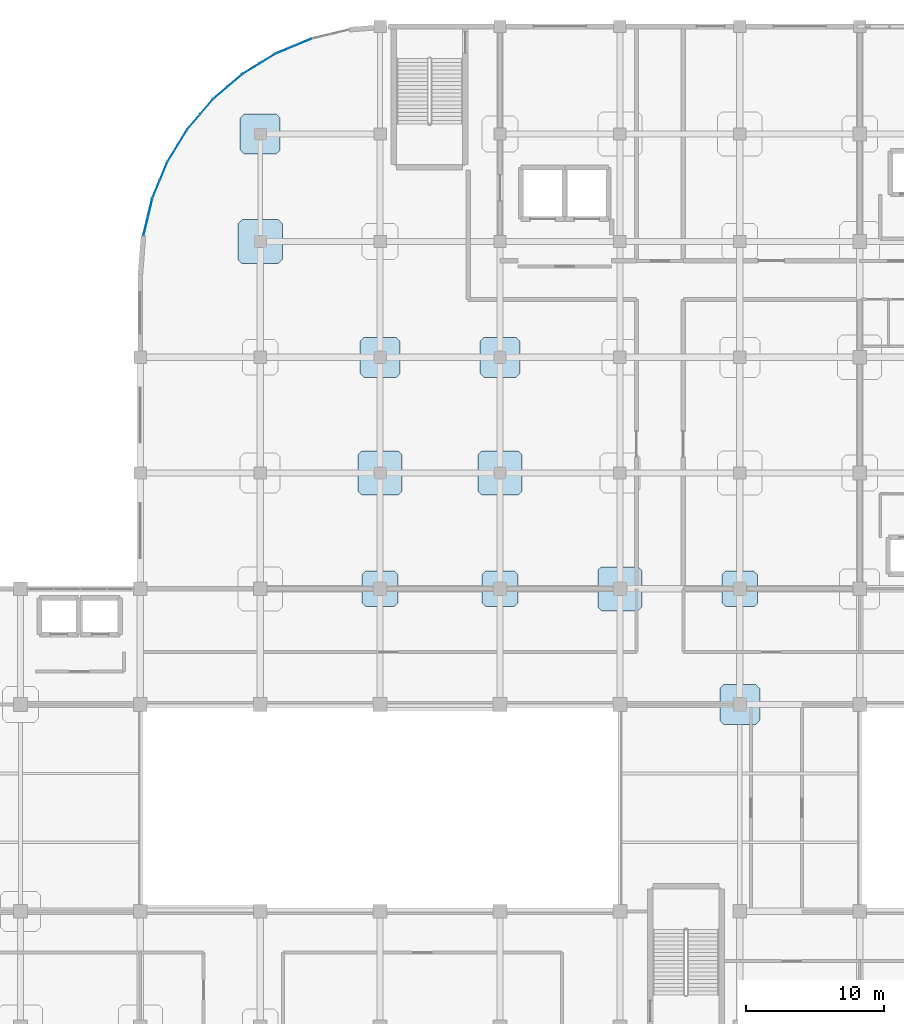
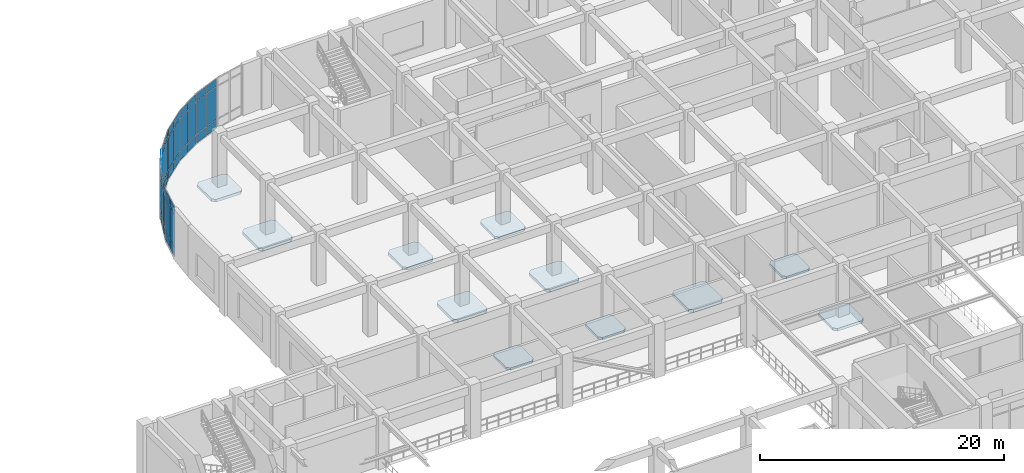
# One storey, part 85 of 114: 42 plates, 11 slabs, 7 elements without a shape of their own.
"""IFC4 building model written with IfcOpenShell, lengths in metres."""

from ifc_helpers import new_model, si_unit, derived_unit, direction, frame, origin, origin_2d, place, context, subcontext, project, spatial, polyline, rectangle, outline, extrude, material, layer, layer_set, type_object, element, aggregate, save


model = new_model("IFC4")

# Units and contexts
model_context = context("Model", 3, precision=1e-05, world=origin(), true_north=direction((0.0, 1.0)))
body_context = subcontext(model_context, "Body", "Model", "MODEL_VIEW")
ifc_project = project(units=[si_unit("LENGTHUNIT", "METRE"), si_unit("AREAUNIT", "SQUARE_METRE"), si_unit("VOLUMEUNIT", "CUBIC_METRE"), si_unit("PLANEANGLEUNIT", "RADIAN"), si_unit("MASSUNIT", "GRAM", prefix="KILO"), derived_unit("THERMALTRANSMITTANCEUNIT", [(si_unit("MASSUNIT", "GRAM", prefix="KILO"), 1), (si_unit("TIMEUNIT", "SECOND"), -3), (si_unit("THERMODYNAMICTEMPERATUREUNIT", "KELVIN"), -1)])], contexts=[model_context])

# Site, building, storey
site_placement = place(None, origin())
site = spatial("IfcSite", under=ifc_project, at=site_placement, CompositionType="ELEMENT")
building_placement = place(site_placement, origin())
building = spatial("IfcBuilding", under=site, at=building_placement, Name="Qinzheling Arcade Emporium", CompositionType="ELEMENT")
storey_placement = place(building_placement, frame((0.0, 0.0, 6.0)))
storey = spatial("IfcBuildingStorey", under=building, at=storey_placement, Name="L02", CompositionType="ELEMENT", Elevation=6.0)

# Slabs
ifc_material_1 = material(Name="Concrete C40", Category="concrete")
ifc_layer_1 = layer(ifc_material_1, 0.235107421875, Name="Concrete C40", Category="concrete")
ifc_layer_set_1 = layer_set([ifc_layer_1], Name="Concrete C40")
slab_type_1 = type_object("IfcSlabType", Name="Column Head Drop Panel 2600x2600x235 C40", PredefinedType="USERDEFINED", material=ifc_layer_set_1)
slab_1_placement = place(storey_placement, frame((0.0, 0.0, -0.544921875)))
element("IfcSlab", 1, at=slab_1_placement, inside=storey, type_object=slab_type_1, Name="Column Drop Panel DP-L02-10-J", ObjectType="DROP_PANEL", PredefinedType="USERDEFINED", context=body_context, shape_type="SweptSolid", body=[
    extrude(outline(polyline([(77.280029296875, 72.5), (79.320068359375, 72.5), (79.60009765625, 72.780029296875), (79.60009765625, 74.820068359375), (79.320068359375, 75.10009765625), (77.280029296875, 75.10009765625), (77.0, 74.820068359375), (77.0, 72.780029296875), (77.280029296875, 72.5)])), origin(), (0.0, 0.0, 1.0), 0.23486328125),
])
slab_2_placement = place(storey_placement, frame((0.0, 0.0, -0.544921875)))
element("IfcSlab", 2, at=slab_2_placement, inside=storey, type_object=slab_type_1, Name="Column Drop Panel DP-L02-12-J", ObjectType="DROP_PANEL", PredefinedType="USERDEFINED", context=body_context, shape_type="SweptSolid", body=[
    extrude(outline(polyline([(94.679931640625, 72.5), (96.719970703125, 72.5), (97.0, 72.780029296875), (97.0, 74.820068359375), (96.719970703125, 75.10009765625), (94.679931640625, 75.10009765625), (94.39990234375, 74.820068359375), (94.39990234375, 72.780029296875), (94.679931640625, 72.5)])), origin(), (0.0, 0.0, 1.0), 0.23486328125),
])
slab_3_placement = place(storey_placement, frame((0.0, 0.0, -0.544921875)))
element("IfcSlab", 3, at=slab_3_placement, inside=storey, type_object=slab_type_1, Name="Column Drop Panel DP-L02-9-J", ObjectType="DROP_PANEL", PredefinedType="USERDEFINED", context=body_context, shape_type="SweptSolid", body=[
    extrude(outline(polyline([(68.580078125, 72.5), (70.6201171875, 72.5), (70.89990234375, 72.780029296875), (70.89990234375, 74.820068359375), (70.6201171875, 75.10009765625), (68.580078125, 75.10009765625), (68.300048828125, 74.820068359375), (68.300048828125, 72.780029296875), (68.580078125, 72.5)])), origin(), (0.0, 0.0, 1.0), 0.23486328125),
])
ifc_layer_2 = layer(ifc_material_1, 0.27001953125, Name="Concrete C40", Category="concrete")
ifc_layer_set_2 = layer_set([ifc_layer_2], Name="Concrete C40")
slab_type_2 = type_object("IfcSlabType", Name="Column Head Drop Panel 2900x2900x270 C40", PredefinedType="USERDEFINED", material=ifc_layer_set_2)
slab_4_placement = place(storey_placement, frame((0.0, 0.0, -0.580078125)))
element("IfcSlab", 4, at=slab_4_placement, inside=storey, type_object=slab_type_2, Name="Column Drop Panel DP-L02-10-L", ObjectType="DROP_PANEL", PredefinedType="USERDEFINED", context=body_context, shape_type="SweptSolid", body=[
    extrude(outline(polyline([(77.1298828125, 89.14990234375), (79.469970703125, 89.14990234375), (79.75, 89.429931640625), (79.75, 91.77001953125), (79.469970703125, 92.050048828125), (77.1298828125, 92.050048828125), (76.85009765625, 91.77001953125), (76.85009765625, 89.429931640625), (77.1298828125, 89.14990234375)])), origin(), (0.0, 0.0, 1.0), 0.27001953125),
])
slab_5_placement = place(storey_placement, frame((0.0, 0.0, -0.550048828125)))
element("IfcSlab", 5, at=slab_5_placement, inside=storey, type_object=slab_type_2, Name="Column Drop Panel DP-L02-12-H", ObjectType="DROP_PANEL", PredefinedType="USERDEFINED", context=body_context, shape_type="SweptSolid", body=[
    extrude(outline(polyline([(94.530029296875, 63.949951171875), (96.8701171875, 63.949951171875), (97.14990234375, 64.22998046875), (97.14990234375, 66.570068359375), (96.8701171875, 66.85009765625), (94.530029296875, 66.85009765625), (94.25, 66.570068359375), (94.25, 64.22998046875), (94.530029296875, 63.949951171875)])), origin(), (0.0, 0.0, 1.0), 0.27001953125),
])
slab_6_placement = place(storey_placement, frame((0.0, 0.0, -0.580078125)))
element("IfcSlab", 6, at=slab_6_placement, inside=storey, type_object=slab_type_2, Name="Column Drop Panel DP-L02-8-N", ObjectType="DROP_PANEL", PredefinedType="USERDEFINED", context=body_context, shape_type="SweptSolid", body=[
    extrude(outline(polyline([(59.72998046875, 105.35009765625), (62.070068359375, 105.35009765625), (62.35009765625, 105.6298828125), (62.35009765625, 107.969970703125), (62.070068359375, 108.25), (59.72998046875, 108.25), (59.449951171875, 107.969970703125), (59.449951171875, 105.6298828125), (59.72998046875, 105.35009765625)])), origin(), (0.0, 0.0, 1.0), 0.27001953125),
])
slab_7_placement = place(storey_placement, frame((0.0, 0.0, -0.580078125)))
element("IfcSlab", 7, at=slab_7_placement, inside=storey, type_object=slab_type_2, Name="Column Drop Panel DP-L02-9-L", ObjectType="DROP_PANEL", PredefinedType="USERDEFINED", context=body_context, shape_type="SweptSolid", body=[
    extrude(outline(polyline([(68.429931640625, 89.14990234375), (70.77001953125, 89.14990234375), (71.050048828125, 89.429931640625), (71.050048828125, 91.77001953125), (70.77001953125, 92.050048828125), (68.429931640625, 92.050048828125), (68.14990234375, 91.77001953125), (68.14990234375, 89.429931640625), (68.429931640625, 89.14990234375)])), origin(), (0.0, 0.0, 1.0), 0.27001953125),
])
ifc_layer_3 = layer(ifc_material_1, 0.300048828125, Name="Concrete C40", Category="concrete")
ifc_layer_set_3 = layer_set([ifc_layer_3], Name="Concrete C40")
slab_type_3 = type_object("IfcSlabType", Name="Column Head Drop Panel 3200x3200x300 C40", PredefinedType="USERDEFINED", material=ifc_layer_set_3)
slab_8_placement = place(storey_placement, frame((0.0, 0.0, -0.610107421875)))
element("IfcSlab", 8, at=slab_8_placement, inside=storey, type_object=slab_type_3, Name="Column Drop Panel DP-L02-10-K", ObjectType="DROP_PANEL", PredefinedType="USERDEFINED", context=body_context, shape_type="SweptSolid", body=[
    extrude(outline(polyline([(76.97998046875, 80.60009765625), (79.6201171875, 80.60009765625), (79.89990234375, 80.8798828125), (79.89990234375, 83.52001953125), (79.6201171875, 83.800048828125), (76.97998046875, 83.800048828125), (76.699951171875, 83.52001953125), (76.699951171875, 80.8798828125), (76.97998046875, 80.60009765625)])), origin(), (0.0, 0.0, 1.0), 0.300048828125),
])
slab_9_placement = place(storey_placement, frame((0.0, 0.0, -0.610107421875)))
element("IfcSlab", 9, at=slab_9_placement, inside=storey, type_object=slab_type_3, Name="Column Drop Panel DP-L02-11-J", ObjectType="DROP_PANEL", PredefinedType="USERDEFINED", context=body_context, shape_type="SweptSolid", body=[
    extrude(outline(polyline([(85.679931640625, 72.199951171875), (88.320068359375, 72.199951171875), (88.60009765625, 72.47998046875), (88.60009765625, 75.1201171875), (88.320068359375, 75.39990234375), (85.679931640625, 75.39990234375), (85.39990234375, 75.1201171875), (85.39990234375, 72.47998046875), (85.679931640625, 72.199951171875)])), origin(), (0.0, 0.0, 1.0), 0.300048828125),
])
slab_10_placement = place(storey_placement, frame((0.0, 0.0, -0.610107421875)))
element("IfcSlab", 10, at=slab_10_placement, inside=storey, type_object=slab_type_3, Name="Column Drop Panel DP-L02-8-M", ObjectType="DROP_PANEL", PredefinedType="USERDEFINED", context=body_context, shape_type="SweptSolid", body=[
    extrude(outline(polyline([(59.580078125, 97.39990234375), (62.219970703125, 97.39990234375), (62.5, 97.679931640625), (62.5, 100.320068359375), (62.219970703125, 100.60009765625), (59.580078125, 100.60009765625), (59.300048828125, 100.320068359375), (59.300048828125, 97.679931640625), (59.580078125, 97.39990234375)])), origin(), (0.0, 0.0, 1.0), 0.300048828125),
])
slab_11_placement = place(storey_placement, frame((0.0, 0.0, -0.610107421875)))
element("IfcSlab", 11, at=slab_11_placement, inside=storey, type_object=slab_type_3, Name="Column Drop Panel DP-L02-9-K", ObjectType="DROP_PANEL", PredefinedType="USERDEFINED", context=body_context, shape_type="SweptSolid", body=[
    extrude(outline(polyline([(68.280029296875, 80.60009765625), (70.919921875, 80.60009765625), (71.199951171875, 80.8798828125), (71.199951171875, 83.52001953125), (70.919921875, 83.800048828125), (68.280029296875, 83.800048828125), (68.0, 83.52001953125), (68.0, 80.8798828125), (68.280029296875, 80.60009765625)])), origin(), (0.0, 0.0, 1.0), 0.300048828125),
])

# Curtain wall, plates
ifc_material_2 = material(Name="Anodised aluminium and solar-control double glazing", Category="aluminium")
ifc_layer_4 = layer(ifc_material_2, 0.159912109375, Name="Anodised aluminium and solar-control double glazing", Category="aluminium")
ifc_layer_set_4 = layer_set([ifc_layer_4], Name="Anodised aluminium and solar-control double glazing")
curtain_wall_type = type_object("IfcCurtainWallType", Name="Curved Ribbon Sales Curtain Wall", PredefinedType="NOTDEFINED", material=ifc_layer_set_4)
curtain_wall_1_placement = place(storey_placement, origin())
curtain_wall_1 = element("IfcCurtainWall", 12, at=curtain_wall_1_placement, inside=storey, type_object=curtain_wall_type, Name="Curtain Wall CW-L02-095", PredefinedType="NOTDEFINED")
ifc_material_3 = material(Name="Laminated solar-control double glazing", Category="glass")
ifc_layer_5 = layer(ifc_material_3, 0.02099609375, Name="Laminated solar-control double glazing", Category="glass")
ifc_layer_set_5 = layer_set([ifc_layer_5], Name="Laminated solar-control double glazing")
plate_type_1 = type_object("IfcPlateType", Name="Low-E Double Glazed Curtain Panel 21mm", PredefinedType="CURTAIN_PANEL", material=ifc_layer_set_5)
plate_1_placement = place(storey_placement, frame((53.35693359375, 102.828369140625, 0.06005859375), z_axis=(0.0, 0.0, 1.0), x_axis=(0.382654004198, 0.923891721508, 0.0)))
plate_1 = element("IfcPlate", 13, at=plate_1_placement, type_object=plate_type_1, Name="CW02 panel 1.1", PredefinedType="CURTAIN_PANEL", context=body_context, shape_type="SweptSolid", body=[
    extrude(rectangle(XDim=1.322509765625, YDim=0.02099609375, at=origin_2d()), origin(), (0.0, 0.0, 1.0), 0.860107421875),
])
plate_2_placement = place(storey_placement, frame((53.35693359375, 102.828369140625, 0.97998046875), z_axis=(0.0, 0.0, 1.0), x_axis=(0.382654004198, 0.923891721508, 0.0)))
plate_2 = element("IfcPlate", 14, at=plate_2_placement, type_object=plate_type_1, Name="CW02 panel 1.2", PredefinedType="CURTAIN_PANEL", context=body_context, shape_type="SweptSolid", body=[
    extrude(rectangle(XDim=1.322509765625, YDim=0.02099609375, at=origin_2d()), origin(), (0.0, 0.0, 1.0), 3.22998046875),
])
plate_3_placement = place(storey_placement, frame((53.35693359375, 102.828369140625, 4.27001953125), z_axis=(0.0, 0.0, 1.0), x_axis=(0.382654004198, 0.923891721508, 0.0)))
plate_3 = element("IfcPlate", 15, at=plate_3_placement, type_object=plate_type_1, Name="CW02 panel 1.3", PredefinedType="CURTAIN_PANEL", context=body_context, shape_type="SweptSolid", body=[
    extrude(rectangle(XDim=1.322509765625, YDim=0.02099609375, at=origin_2d()), origin(), (0.0, 0.0, 1.0), 0.760009765625),
])
plate_4_placement = place(storey_placement, frame((53.885986328125, 104.105712890625, 0.06005859375), z_axis=(0.0, 0.0, 1.0), x_axis=(0.382654004198, 0.923891721508, 0.0)))
plate_4 = element("IfcPlate", 16, at=plate_4_placement, type_object=plate_type_1, Name="CW02 panel 2.1", PredefinedType="CURTAIN_PANEL", context=body_context, shape_type="SweptSolid", body=[
    extrude(rectangle(XDim=1.322509765625, YDim=0.02099609375, at=origin_2d()), origin(), (0.0, 0.0, 1.0), 0.860107421875),
])
plate_5_placement = place(storey_placement, frame((53.885986328125, 104.105712890625, 0.97998046875), z_axis=(0.0, 0.0, 1.0), x_axis=(0.382654004198, 0.923891721508, 0.0)))
plate_5 = element("IfcPlate", 17, at=plate_5_placement, type_object=plate_type_1, Name="CW02 panel 2.2", PredefinedType="CURTAIN_PANEL", context=body_context, shape_type="SweptSolid", body=[
    extrude(rectangle(XDim=1.322509765625, YDim=0.02099609375, at=origin_2d()), origin(), (0.0, 0.0, 1.0), 3.22998046875),
])
plate_6_placement = place(storey_placement, frame((53.885986328125, 104.105712890625, 4.27001953125), z_axis=(0.0, 0.0, 1.0), x_axis=(0.382654004198, 0.923891721508, 0.0)))
plate_6 = element("IfcPlate", 18, at=plate_6_placement, type_object=plate_type_1, Name="CW02 panel 2.3", PredefinedType="CURTAIN_PANEL", context=body_context, shape_type="SweptSolid", body=[
    extrude(rectangle(XDim=1.322509765625, YDim=0.02099609375, at=origin_2d()), origin(), (0.0, 0.0, 1.0), 0.760009765625),
])
aggregate(curtain_wall_1, [plate_1, plate_2, plate_3, plate_4, plate_5, plate_6])

curtain_wall_2_placement = place(storey_placement, origin())
curtain_wall_2 = element("IfcCurtainWall", 19, at=curtain_wall_2_placement, inside=storey, type_object=curtain_wall_type, Name="Curtain Wall CW-L02-096", PredefinedType="NOTDEFINED")
ifc_layer_6 = layer(ifc_material_3, 0.02197265625, Name="Laminated solar-control double glazing", Category="glass")
ifc_layer_set_6 = layer_set([ifc_layer_6], Name="Laminated solar-control double glazing")
plate_type_2 = type_object("IfcPlateType", Name="Low-E Double Glazed Curtain Panel 22mm", PredefinedType="CURTAIN_PANEL", material=ifc_layer_set_6)
plate_7_placement = place(storey_placement, frame((54.538818359375, 105.38671875, 0.06005859375), z_axis=(0.0, 0.0, 1.0), x_axis=(0.522595267575, 0.852580897222, 0.0)))
plate_7 = element("IfcPlate", 20, at=plate_7_placement, type_object=plate_type_2, Name="CW02 panel 1.1", PredefinedType="CURTAIN_PANEL", context=body_context, shape_type="SweptSolid", body=[
    extrude(rectangle(XDim=1.322265625, YDim=0.02197265625, at=origin_2d()), origin(), (0.0, 0.0, 1.0), 0.860107421875),
])
plate_8_placement = place(storey_placement, frame((54.538818359375, 105.38671875, 0.97998046875), z_axis=(0.0, 0.0, 1.0), x_axis=(0.522595267575, 0.852580897222, 0.0)))
plate_8 = element("IfcPlate", 21, at=plate_8_placement, type_object=plate_type_2, Name="CW02 panel 1.2", PredefinedType="CURTAIN_PANEL", context=body_context, shape_type="SweptSolid", body=[
    extrude(rectangle(XDim=1.322265625, YDim=0.02197265625, at=origin_2d()), origin(), (0.0, 0.0, 1.0), 3.22998046875),
])
plate_9_placement = place(storey_placement, frame((54.538818359375, 105.38671875, 4.27001953125), z_axis=(0.0, 0.0, 1.0), x_axis=(0.522595267575, 0.852580897222, 0.0)))
plate_9 = element("IfcPlate", 22, at=plate_9_placement, type_object=plate_type_2, Name="CW02 panel 1.3", PredefinedType="CURTAIN_PANEL", context=body_context, shape_type="SweptSolid", body=[
    extrude(rectangle(XDim=1.322265625, YDim=0.02197265625, at=origin_2d()), origin(), (0.0, 0.0, 1.0), 0.760009765625),
])
plate_10_placement = place(storey_placement, frame((55.26123046875, 106.565185546875, 0.06005859375), z_axis=(0.0, 0.0, 1.0), x_axis=(0.522595267575, 0.852580897222, 0.0)))
plate_10 = element("IfcPlate", 23, at=plate_10_placement, type_object=plate_type_2, Name="CW02 panel 2.1", PredefinedType="CURTAIN_PANEL", context=body_context, shape_type="SweptSolid", body=[
    extrude(rectangle(XDim=1.322265625, YDim=0.02197265625, at=origin_2d()), origin(), (0.0, 0.0, 1.0), 0.860107421875),
])
plate_11_placement = place(storey_placement, frame((55.26123046875, 106.565185546875, 0.97998046875), z_axis=(0.0, 0.0, 1.0), x_axis=(0.522595267575, 0.852580897222, 0.0)))
plate_11 = element("IfcPlate", 24, at=plate_11_placement, type_object=plate_type_2, Name="CW02 panel 2.2", PredefinedType="CURTAIN_PANEL", context=body_context, shape_type="SweptSolid", body=[
    extrude(rectangle(XDim=1.322265625, YDim=0.02197265625, at=origin_2d()), origin(), (0.0, 0.0, 1.0), 3.22998046875),
])
plate_12_placement = place(storey_placement, frame((55.26123046875, 106.565185546875, 4.27001953125), z_axis=(0.0, 0.0, 1.0), x_axis=(0.522595267575, 0.852580897222, 0.0)))
plate_12 = element("IfcPlate", 25, at=plate_12_placement, type_object=plate_type_2, Name="CW02 panel 2.3", PredefinedType="CURTAIN_PANEL", context=body_context, shape_type="SweptSolid", body=[
    extrude(rectangle(XDim=1.322265625, YDim=0.02197265625, at=origin_2d()), origin(), (0.0, 0.0, 1.0), 0.760009765625),
])
aggregate(curtain_wall_2, [plate_7, plate_8, plate_9, plate_10, plate_11, plate_12])

curtain_wall_3_placement = place(storey_placement, origin())
curtain_wall_3 = element("IfcCurtainWall", 26, at=curtain_wall_3_placement, inside=storey, type_object=curtain_wall_type, Name="Curtain Wall CW-L02-097", PredefinedType="NOTDEFINED")
ifc_layer_7 = layer(ifc_material_3, 0.02392578125, Name="Laminated solar-control double glazing", Category="glass")
ifc_layer_set_7 = layer_set([ifc_layer_7], Name="Laminated solar-control double glazing")
plate_type_3 = type_object("IfcPlateType", Name="Low-E Double Glazed Curtain Panel 24mm", PredefinedType="CURTAIN_PANEL", material=ifc_layer_set_7)
plate_13_placement = place(storey_placement, frame((56.106201171875, 107.728515625, 0.06005859375), z_axis=(0.0, 0.0, 1.0), x_axis=(0.64933231048, 0.760504799831, 0.0)))
plate_13 = element("IfcPlate", 27, at=plate_13_placement, type_object=plate_type_3, Name="CW02 panel 1.1", PredefinedType="CURTAIN_PANEL", context=body_context, shape_type="SweptSolid", body=[
    extrude(rectangle(XDim=1.322265625, YDim=0.02392578125, at=origin_2d()), origin(), (0.0, 0.0, 1.0), 0.860107421875),
])
plate_14_placement = place(storey_placement, frame((56.106201171875, 107.728515625, 0.97998046875), z_axis=(0.0, 0.0, 1.0), x_axis=(0.64933231048, 0.760504799831, 0.0)))
plate_14 = element("IfcPlate", 28, at=plate_14_placement, type_object=plate_type_3, Name="CW02 panel 1.2", PredefinedType="CURTAIN_PANEL", context=body_context, shape_type="SweptSolid", body=[
    extrude(rectangle(XDim=1.322265625, YDim=0.02392578125, at=origin_2d()), origin(), (0.0, 0.0, 1.0), 3.22998046875),
])
plate_15_placement = place(storey_placement, frame((56.106201171875, 107.728515625, 4.27001953125), z_axis=(0.0, 0.0, 1.0), x_axis=(0.64933231048, 0.760504799831, 0.0)))
plate_15 = element("IfcPlate", 29, at=plate_15_placement, type_object=plate_type_3, Name="CW02 panel 1.3", PredefinedType="CURTAIN_PANEL", context=body_context, shape_type="SweptSolid", body=[
    extrude(rectangle(XDim=1.322265625, YDim=0.02392578125, at=origin_2d()), origin(), (0.0, 0.0, 1.0), 0.760009765625),
])
plate_16_placement = place(storey_placement, frame((57.003662109375, 108.779541015625, 0.06005859375), z_axis=(0.0, 0.0, 1.0), x_axis=(0.64933231048, 0.760504799831, 0.0)))
plate_16 = element("IfcPlate", 30, at=plate_16_placement, type_object=plate_type_3, Name="CW02 panel 2.1", PredefinedType="CURTAIN_PANEL", context=body_context, shape_type="SweptSolid", body=[
    extrude(rectangle(XDim=1.322265625, YDim=0.02392578125, at=origin_2d()), origin(), (0.0, 0.0, 1.0), 0.860107421875),
])
plate_17_placement = place(storey_placement, frame((57.003662109375, 108.779541015625, 0.97998046875), z_axis=(0.0, 0.0, 1.0), x_axis=(0.64933231048, 0.760504799831, 0.0)))
plate_17 = element("IfcPlate", 31, at=plate_17_placement, type_object=plate_type_3, Name="CW02 panel 2.2", PredefinedType="CURTAIN_PANEL", context=body_context, shape_type="SweptSolid", body=[
    extrude(rectangle(XDim=1.322265625, YDim=0.02392578125, at=origin_2d()), origin(), (0.0, 0.0, 1.0), 3.22998046875),
])
plate_18_placement = place(storey_placement, frame((57.003662109375, 108.779541015625, 4.27001953125), z_axis=(0.0, 0.0, 1.0), x_axis=(0.64933231048, 0.760504799831, 0.0)))
plate_18 = element("IfcPlate", 32, at=plate_18_placement, type_object=plate_type_3, Name="CW02 panel 2.3", PredefinedType="CURTAIN_PANEL", context=body_context, shape_type="SweptSolid", body=[
    extrude(rectangle(XDim=1.322265625, YDim=0.02392578125, at=origin_2d()), origin(), (0.0, 0.0, 1.0), 0.760009765625),
])
aggregate(curtain_wall_3, [plate_13, plate_14, plate_15, plate_16, plate_17, plate_18])

curtain_wall_4_placement = place(storey_placement, origin())
curtain_wall_4 = element("IfcCurtainWall", 33, at=curtain_wall_4_placement, inside=storey, type_object=curtain_wall_type, Name="Curtain Wall CW-L02-098", PredefinedType="NOTDEFINED")
ifc_layer_8 = layer(ifc_material_3, 0.02490234375, Name="Laminated solar-control double glazing", Category="glass")
ifc_layer_set_8 = layer_set([ifc_layer_8], Name="Laminated solar-control double glazing")
plate_type_4 = type_object("IfcPlateType", Name="Low-E Double Glazed Curtain Panel 25mm", PredefinedType="CURTAIN_PANEL", material=ifc_layer_set_8)
plate_19_placement = place(storey_placement, frame((58.0205078125, 109.796142578125, 0.06005859375), z_axis=(0.0, 0.0, 1.0), x_axis=(0.760504799831, 0.64933231048, 0.0)))
plate_19 = element("IfcPlate", 34, at=plate_19_placement, type_object=plate_type_4, Name="CW02 panel 1.1", PredefinedType="CURTAIN_PANEL", context=body_context, shape_type="SweptSolid", body=[
    extrude(rectangle(XDim=1.322265625, YDim=0.02490234375, at=origin_2d()), origin(), (0.0, 0.0, 1.0), 0.860107421875),
])
plate_20_placement = place(storey_placement, frame((58.0205078125, 109.796142578125, 0.97998046875), z_axis=(0.0, 0.0, 1.0), x_axis=(0.760504799831, 0.64933231048, 0.0)))
plate_20 = element("IfcPlate", 35, at=plate_20_placement, type_object=plate_type_4, Name="CW02 panel 1.2", PredefinedType="CURTAIN_PANEL", context=body_context, shape_type="SweptSolid", body=[
    extrude(rectangle(XDim=1.322265625, YDim=0.02490234375, at=origin_2d()), origin(), (0.0, 0.0, 1.0), 3.22998046875),
])
plate_21_placement = place(storey_placement, frame((58.0205078125, 109.796142578125, 4.27001953125), z_axis=(0.0, 0.0, 1.0), x_axis=(0.760504799831, 0.64933231048, 0.0)))
plate_21 = element("IfcPlate", 36, at=plate_21_placement, type_object=plate_type_4, Name="CW02 panel 1.3", PredefinedType="CURTAIN_PANEL", context=body_context, shape_type="SweptSolid", body=[
    extrude(rectangle(XDim=1.322265625, YDim=0.02490234375, at=origin_2d()), origin(), (0.0, 0.0, 1.0), 0.760009765625),
])
plate_22_placement = place(storey_placement, frame((59.071533203125, 110.69384765625, 0.06005859375), z_axis=(0.0, 0.0, 1.0), x_axis=(0.760504799831, 0.64933231048, 0.0)))
plate_22 = element("IfcPlate", 37, at=plate_22_placement, type_object=plate_type_4, Name="CW02 panel 2.1", PredefinedType="CURTAIN_PANEL", context=body_context, shape_type="SweptSolid", body=[
    extrude(rectangle(XDim=1.322265625, YDim=0.02490234375, at=origin_2d()), origin(), (0.0, 0.0, 1.0), 0.860107421875),
])
plate_23_placement = place(storey_placement, frame((59.071533203125, 110.69384765625, 0.97998046875), z_axis=(0.0, 0.0, 1.0), x_axis=(0.760504799831, 0.64933231048, 0.0)))
plate_23 = element("IfcPlate", 38, at=plate_23_placement, type_object=plate_type_4, Name="CW02 panel 2.2", PredefinedType="CURTAIN_PANEL", context=body_context, shape_type="SweptSolid", body=[
    extrude(rectangle(XDim=1.322265625, YDim=0.02490234375, at=origin_2d()), origin(), (0.0, 0.0, 1.0), 3.22998046875),
])
plate_24_placement = place(storey_placement, frame((59.071533203125, 110.69384765625, 4.27001953125), z_axis=(0.0, 0.0, 1.0), x_axis=(0.760504799831, 0.64933231048, 0.0)))
plate_24 = element("IfcPlate", 39, at=plate_24_placement, type_object=plate_type_4, Name="CW02 panel 2.3", PredefinedType="CURTAIN_PANEL", context=body_context, shape_type="SweptSolid", body=[
    extrude(rectangle(XDim=1.322265625, YDim=0.02490234375, at=origin_2d()), origin(), (0.0, 0.0, 1.0), 0.760009765625),
])
aggregate(curtain_wall_4, [plate_19, plate_20, plate_21, plate_22, plate_23, plate_24])

curtain_wall_5_placement = place(storey_placement, origin())
curtain_wall_5 = element("IfcCurtainWall", 40, at=curtain_wall_5_placement, inside=storey, type_object=curtain_wall_type, Name="Curtain Wall CW-L02-099", PredefinedType="NOTDEFINED")
ifc_layer_9 = layer(ifc_material_3, 0.02587890625, Name="Laminated solar-control double glazing", Category="glass")
ifc_layer_set_9 = layer_set([ifc_layer_9], Name="Laminated solar-control double glazing")
plate_type_5 = type_object("IfcPlateType", Name="Low-E Double Glazed Curtain Panel 26mm", PredefinedType="CURTAIN_PANEL", material=ifc_layer_set_9)
plate_25_placement = place(storey_placement, frame((60.23486328125, 111.538818359375, 0.06005859375), z_axis=(0.0, 0.0, 1.0), x_axis=(0.852580897222, 0.522595267575, 0.0)))
plate_25 = element("IfcPlate", 41, at=plate_25_placement, type_object=plate_type_5, Name="CW02 panel 1.1", PredefinedType="CURTAIN_PANEL", context=body_context, shape_type="SweptSolid", body=[
    extrude(rectangle(XDim=1.322265625, YDim=0.02587890625, at=origin_2d()), origin(), (0.0, 0.0, 1.0), 0.860107421875),
])
plate_26_placement = place(storey_placement, frame((60.23486328125, 111.538818359375, 0.97998046875), z_axis=(0.0, 0.0, 1.0), x_axis=(0.852580897222, 0.522595267575, 0.0)))
plate_26 = element("IfcPlate", 42, at=plate_26_placement, type_object=plate_type_5, Name="CW02 panel 1.2", PredefinedType="CURTAIN_PANEL", context=body_context, shape_type="SweptSolid", body=[
    extrude(rectangle(XDim=1.322265625, YDim=0.02587890625, at=origin_2d()), origin(), (0.0, 0.0, 1.0), 3.22998046875),
])
plate_27_placement = place(storey_placement, frame((60.23486328125, 111.538818359375, 4.27001953125), z_axis=(0.0, 0.0, 1.0), x_axis=(0.852580897222, 0.522595267575, 0.0)))
plate_27 = element("IfcPlate", 43, at=plate_27_placement, type_object=plate_type_5, Name="CW02 panel 1.3", PredefinedType="CURTAIN_PANEL", context=body_context, shape_type="SweptSolid", body=[
    extrude(rectangle(XDim=1.322265625, YDim=0.02587890625, at=origin_2d()), origin(), (0.0, 0.0, 1.0), 0.760009765625),
])
plate_28_placement = place(storey_placement, frame((61.413330078125, 112.26123046875, 0.06005859375), z_axis=(0.0, 0.0, 1.0), x_axis=(0.852580897222, 0.522595267575, 0.0)))
plate_28 = element("IfcPlate", 44, at=plate_28_placement, type_object=plate_type_5, Name="CW02 panel 2.1", PredefinedType="CURTAIN_PANEL", context=body_context, shape_type="SweptSolid", body=[
    extrude(rectangle(XDim=1.322265625, YDim=0.02587890625, at=origin_2d()), origin(), (0.0, 0.0, 1.0), 0.860107421875),
])
plate_29_placement = place(storey_placement, frame((61.413330078125, 112.26123046875, 0.97998046875), z_axis=(0.0, 0.0, 1.0), x_axis=(0.852580897222, 0.522595267575, 0.0)))
plate_29 = element("IfcPlate", 45, at=plate_29_placement, type_object=plate_type_5, Name="CW02 panel 2.2", PredefinedType="CURTAIN_PANEL", context=body_context, shape_type="SweptSolid", body=[
    extrude(rectangle(XDim=1.322265625, YDim=0.02587890625, at=origin_2d()), origin(), (0.0, 0.0, 1.0), 3.22998046875),
])
plate_30_placement = place(storey_placement, frame((61.413330078125, 112.26123046875, 4.27001953125), z_axis=(0.0, 0.0, 1.0), x_axis=(0.852580897222, 0.522595267575, 0.0)))
plate_30 = element("IfcPlate", 46, at=plate_30_placement, type_object=plate_type_5, Name="CW02 panel 2.3", PredefinedType="CURTAIN_PANEL", context=body_context, shape_type="SweptSolid", body=[
    extrude(rectangle(XDim=1.322265625, YDim=0.02587890625, at=origin_2d()), origin(), (0.0, 0.0, 1.0), 0.760009765625),
])
aggregate(curtain_wall_5, [plate_25, plate_26, plate_27, plate_28, plate_29, plate_30])

curtain_wall_6_placement = place(storey_placement, origin())
curtain_wall_6 = element("IfcCurtainWall", 47, at=curtain_wall_6_placement, inside=storey, type_object=curtain_wall_type, Name="Curtain Wall CW-L02-100", PredefinedType="NOTDEFINED")
ifc_layer_10 = layer(ifc_material_3, 0.027099609375, Name="Laminated solar-control double glazing", Category="glass")
ifc_layer_set_10 = layer_set([ifc_layer_10], Name="Laminated solar-control double glazing")
plate_type_6 = type_object("IfcPlateType", Name="Low-E Double Glazed Curtain Panel 27mm", PredefinedType="CURTAIN_PANEL", material=ifc_layer_set_10)
plate_31_placement = place(storey_placement, frame((62.6943359375, 112.9140625, 0.06005859375), z_axis=(0.0, 0.0, 1.0), x_axis=(0.923891721508, 0.382654004198, 0.0)))
plate_31 = element("IfcPlate", 48, at=plate_31_placement, type_object=plate_type_6, Name="CW02 panel 1.1", PredefinedType="CURTAIN_PANEL", context=body_context, shape_type="SweptSolid", body=[
    extrude(rectangle(XDim=1.322509765625, YDim=0.027099609375, at=origin_2d()), origin(), (0.0, 0.0, 1.0), 0.860107421875),
])
plate_32_placement = place(storey_placement, frame((62.6943359375, 112.9140625, 0.97998046875), z_axis=(0.0, 0.0, 1.0), x_axis=(0.923891721508, 0.382654004198, 0.0)))
plate_32 = element("IfcPlate", 49, at=plate_32_placement, type_object=plate_type_6, Name="CW02 panel 1.2", PredefinedType="CURTAIN_PANEL", context=body_context, shape_type="SweptSolid", body=[
    extrude(rectangle(XDim=1.322509765625, YDim=0.027099609375, at=origin_2d()), origin(), (0.0, 0.0, 1.0), 3.22998046875),
])
plate_33_placement = place(storey_placement, frame((62.6943359375, 112.9140625, 4.27001953125), z_axis=(0.0, 0.0, 1.0), x_axis=(0.923891721508, 0.382654004198, 0.0)))
plate_33 = element("IfcPlate", 50, at=plate_33_placement, type_object=plate_type_6, Name="CW02 panel 1.3", PredefinedType="CURTAIN_PANEL", context=body_context, shape_type="SweptSolid", body=[
    extrude(rectangle(XDim=1.322509765625, YDim=0.027099609375, at=origin_2d()), origin(), (0.0, 0.0, 1.0), 0.760009765625),
])
plate_34_placement = place(storey_placement, frame((63.9716796875, 113.443115234375, 0.06005859375), z_axis=(0.0, 0.0, 1.0), x_axis=(0.923891721508, 0.382654004198, 0.0)))
plate_34 = element("IfcPlate", 51, at=plate_34_placement, type_object=plate_type_6, Name="CW02 panel 2.1", PredefinedType="CURTAIN_PANEL", context=body_context, shape_type="SweptSolid", body=[
    extrude(rectangle(XDim=1.322509765625, YDim=0.027099609375, at=origin_2d()), origin(), (0.0, 0.0, 1.0), 0.860107421875),
])
plate_35_placement = place(storey_placement, frame((63.9716796875, 113.443115234375, 0.97998046875), z_axis=(0.0, 0.0, 1.0), x_axis=(0.923891721508, 0.382654004198, 0.0)))
plate_35 = element("IfcPlate", 52, at=plate_35_placement, type_object=plate_type_6, Name="CW02 panel 2.2", PredefinedType="CURTAIN_PANEL", context=body_context, shape_type="SweptSolid", body=[
    extrude(rectangle(XDim=1.322509765625, YDim=0.027099609375, at=origin_2d()), origin(), (0.0, 0.0, 1.0), 3.22998046875),
])
plate_36_placement = place(storey_placement, frame((63.9716796875, 113.443115234375, 4.27001953125), z_axis=(0.0, 0.0, 1.0), x_axis=(0.923891721508, 0.382654004198, 0.0)))
plate_36 = element("IfcPlate", 53, at=plate_36_placement, type_object=plate_type_6, Name="CW02 panel 2.3", PredefinedType="CURTAIN_PANEL", context=body_context, shape_type="SweptSolid", body=[
    extrude(rectangle(XDim=1.322509765625, YDim=0.027099609375, at=origin_2d()), origin(), (0.0, 0.0, 1.0), 0.760009765625),
])
aggregate(curtain_wall_6, [plate_31, plate_32, plate_33, plate_34, plate_35, plate_36])

curtain_wall_7_placement = place(storey_placement, origin())
curtain_wall_7 = element("IfcCurtainWall", 54, at=curtain_wall_7_placement, inside=storey, type_object=curtain_wall_type, Name="Curtain Wall CW-L02-094", PredefinedType="NOTDEFINED")
ifc_layer_11 = layer(ifc_material_3, 0.0419921875, Name="Laminated solar-control double glazing", Category="glass")
ifc_layer_set_11 = layer_set([ifc_layer_11], Name="Laminated solar-control double glazing")
plate_type_7 = type_object("IfcPlateType", Name="Low-E Double Glazed Curtain Panel 42mm", PredefinedType="CURTAIN_PANEL", material=ifc_layer_set_11)
plate_37_placement = place(storey_placement, frame((52.59033203125, 100.1171875, 0.06005859375), z_axis=(0.0, 0.0, 1.0), x_axis=(0.233359559423, 0.972390516216, 0.0)))
plate_37 = element("IfcPlate", 55, at=plate_37_placement, type_object=plate_type_7, Name="CW02 panel 1.1", PredefinedType="CURTAIN_PANEL", context=body_context, shape_type="SweptSolid", body=[
    extrude(rectangle(XDim=1.322021484375, YDim=0.0419921875, at=origin_2d()), origin(), (0.0, 0.0, 1.0), 0.860107421875),
])
plate_38_placement = place(storey_placement, frame((52.59033203125, 100.1171875, 0.97998046875), z_axis=(0.0, 0.0, 1.0), x_axis=(0.233359559423, 0.972390516216, 0.0)))
plate_38 = element("IfcPlate", 56, at=plate_38_placement, type_object=plate_type_7, Name="CW02 panel 1.2", PredefinedType="CURTAIN_PANEL", context=body_context, shape_type="SweptSolid", body=[
    extrude(rectangle(XDim=1.322021484375, YDim=0.0419921875, at=origin_2d()), origin(), (0.0, 0.0, 1.0), 3.22998046875),
])
plate_39_placement = place(storey_placement, frame((52.59033203125, 100.1171875, 4.27001953125), z_axis=(0.0, 0.0, 1.0), x_axis=(0.233359559423, 0.972390516216, 0.0)))
plate_39 = element("IfcPlate", 57, at=plate_39_placement, type_object=plate_type_7, Name="CW02 panel 1.3", PredefinedType="CURTAIN_PANEL", context=body_context, shape_type="SweptSolid", body=[
    extrude(rectangle(XDim=1.322021484375, YDim=0.0419921875, at=origin_2d()), origin(), (0.0, 0.0, 1.0), 0.760009765625),
])
plate_40_placement = place(storey_placement, frame((52.912841796875, 101.4609375, 0.06005859375), z_axis=(0.0, 0.0, 1.0), x_axis=(0.233359559423, 0.972390516216, 0.0)))
plate_40 = element("IfcPlate", 58, at=plate_40_placement, type_object=plate_type_7, Name="CW02 panel 2.1", PredefinedType="CURTAIN_PANEL", context=body_context, shape_type="SweptSolid", body=[
    extrude(rectangle(XDim=1.322021484375, YDim=0.0419921875, at=origin_2d()), origin(), (0.0, 0.0, 1.0), 0.860107421875),
])
plate_41_placement = place(storey_placement, frame((52.912841796875, 101.4609375, 0.97998046875), z_axis=(0.0, 0.0, 1.0), x_axis=(0.233359559423, 0.972390516216, 0.0)))
plate_41 = element("IfcPlate", 59, at=plate_41_placement, type_object=plate_type_7, Name="CW02 panel 2.2", PredefinedType="CURTAIN_PANEL", context=body_context, shape_type="SweptSolid", body=[
    extrude(rectangle(XDim=1.322021484375, YDim=0.0419921875, at=origin_2d()), origin(), (0.0, 0.0, 1.0), 3.22998046875),
])
plate_42_placement = place(storey_placement, frame((52.912841796875, 101.4609375, 4.27001953125), z_axis=(0.0, 0.0, 1.0), x_axis=(0.233359559423, 0.972390516216, 0.0)))
plate_42 = element("IfcPlate", 60, at=plate_42_placement, type_object=plate_type_7, Name="CW02 panel 2.3", PredefinedType="CURTAIN_PANEL", context=body_context, shape_type="SweptSolid", body=[
    extrude(rectangle(XDim=1.322021484375, YDim=0.0419921875, at=origin_2d()), origin(), (0.0, 0.0, 1.0), 0.760009765625),
])
aggregate(curtain_wall_7, [plate_37, plate_38, plate_39, plate_40, plate_41, plate_42])

save(model, "model.ifc")
